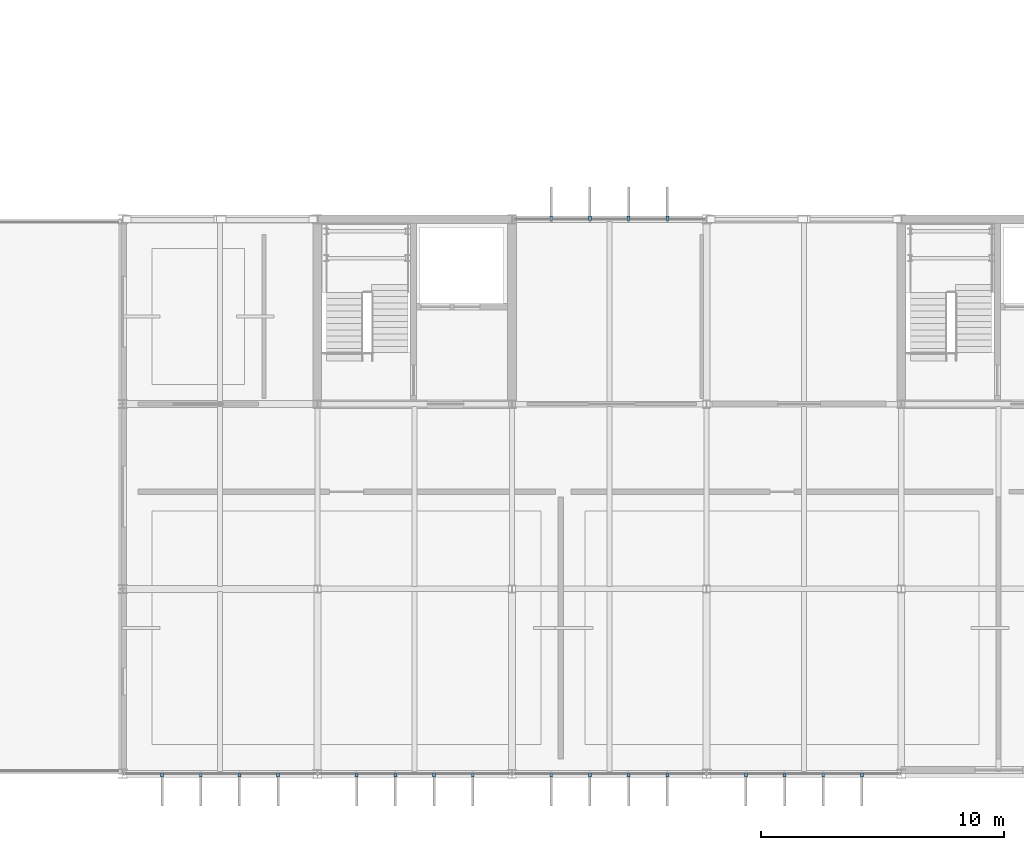
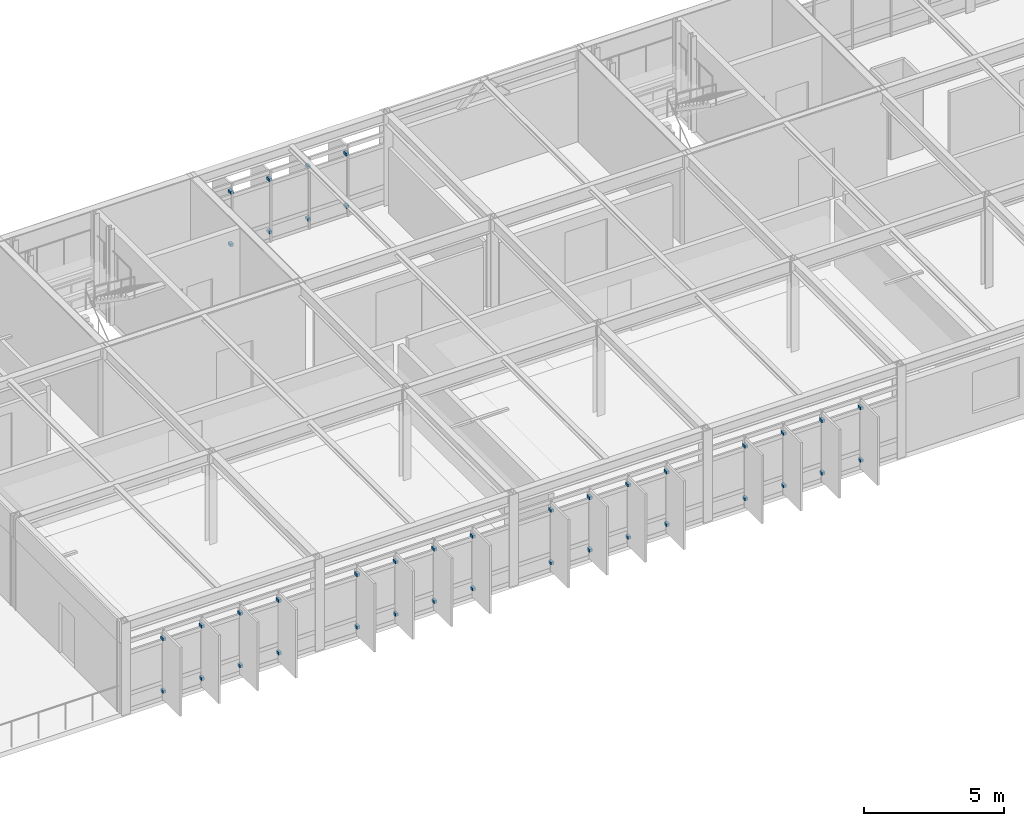
# One storey, part 37 of 45: 40 discrete accessories.
"""IFC4 building model written with IfcOpenShell, lengths in metres."""

from ifc_helpers import new_model, si_unit, direction, frame, origin, origin_2d, place, context, subcontext, project, spatial, rectangle, extrude, material, layer, layer_set, type_object, element, save


model = new_model("IFC4")

# Units and contexts
model_context = context("Model", 3, precision=1e-05, world=origin(), true_north=direction((0.0, 1.0)))
body_context = subcontext(model_context, "Body", "Model", "MODEL_VIEW")
ifc_project = project(units=[si_unit("LENGTHUNIT", "METRE"), si_unit("AREAUNIT", "SQUARE_METRE"), si_unit("VOLUMEUNIT", "CUBIC_METRE"), si_unit("PLANEANGLEUNIT", "RADIAN"), si_unit("MASSUNIT", "GRAM", prefix="KILO")], contexts=[model_context])

# Site, building, storey
site_placement = place(None, origin())
site = spatial("IfcSite", under=ifc_project, at=site_placement, CompositionType="ELEMENT")
building_placement = place(site_placement, origin())
building = spatial("IfcBuilding", under=site, at=building_placement, Name="Zulena Civic Courthouse", CompositionType="ELEMENT")
storey_placement = place(building_placement, frame((0.0, 0.0, 29.39990234375)))
storey = spatial("IfcBuildingStorey", under=building, at=storey_placement, Name="L06", CompositionType="ELEMENT", Elevation=29.39990234375)

# Discrete accessories
ifc_material = material(Name="Gold anodised architectural aluminium AA6063-T6", Category="aluminium")
ifc_layer = layer(ifc_material, 0.1201171875)
ifc_layer_set = layer_set([ifc_layer], Name="Gold anodised architectural aluminium AA6063-T6")
discrete_accessory_type = type_object("IfcDiscreteAccessoryType", Name="FinOutriggerBracket", PredefinedType="BRACKET", material=ifc_layer_set)
for number, where, z_axis, x_axis, name in (
    (1, (29.614501953125, 22.844970703125, 0.340087890625), (0.0, 0.0, 1.0), (0.0, 1.0, 0.0), "brk:V2:L06:1:2:1:29.80"),
    (2, (29.614501953125, 22.844970703125, 2.630126953125), (0.0, 0.0, 1.0), (0.0, 1.0, 0.0), "brk:V2:L06:1:2:1:32.09"),
    (3, (31.204833984375, 22.844970703125, 0.340087890625), (0.0, 0.0, 1.0), (0.0, 1.0, 0.0), "brk:V2:L06:1:2:2:29.80"),
    (4, (31.204833984375, 22.844970703125, 2.630126953125), (0.0, 0.0, 1.0), (0.0, 1.0, 0.0), "brk:V2:L06:1:2:2:32.09"),
    (5, (32.795166015625, 22.844970703125, 0.340087890625), (0.0, 0.0, 1.0), (0.0, 1.0, 0.0), "brk:V2:L06:1:2:3:29.80"),
    (6, (32.795166015625, 22.844970703125, 2.630126953125), (0.0, 0.0, 1.0), (0.0, 1.0, 0.0), "brk:V2:L06:1:2:3:32.09"),
    (7, (34.385498046875, 22.844970703125, 0.340087890625), (0.0, 0.0, 1.0), (0.0, 1.0, 0.0), "brk:V2:L06:1:2:4:29.80"),
    (8, (34.385498046875, 22.844970703125, 2.630126953125), (0.0, 0.0, 1.0), (0.0, 1.0, 0.0), "brk:V2:L06:1:2:4:32.09"),
    (9, (42.385498046875, -0.044921875, 0.340087890625), (0.0, 0.0, 1.0), (0.0, -1.0, 0.0), "brk:V2:L06:3:3:1:29.80"),
    (10, (42.385498046875, -0.044921875, 2.630126953125), (0.0, 0.0, 1.0), (0.0, -1.0, 0.0), "brk:V2:L06:3:3:1:32.09"),
    (11, (40.795166015625, -0.044921875, 0.340087890625), (0.0, 0.0, 1.0), (0.0, -1.0, 0.0), "brk:V2:L06:3:3:2:29.80"),
    (12, (40.795166015625, -0.044921875, 2.630126953125), (0.0, 0.0, 1.0), (0.0, -1.0, 0.0), "brk:V2:L06:3:3:2:32.09"),
    (13, (39.204833984375, -0.044921875, 0.340087890625), (0.0, 0.0, 1.0), (0.0, -1.0, 0.0), "brk:V2:L06:3:3:3:29.80"),
    (14, (39.204833984375, -0.044921875, 2.630126953125), (0.0, 0.0, 1.0), (0.0, -1.0, 0.0), "brk:V2:L06:3:3:3:32.09"),
    (15, (37.614501953125, -0.044921875, 0.340087890625), (0.0, 0.0, 1.0), (0.0, -1.0, 0.0), "brk:V2:L06:3:3:4:29.80"),
    (16, (37.614501953125, -0.044921875, 2.630126953125), (0.0, 0.0, 1.0), (0.0, -1.0, 0.0), "brk:V2:L06:3:3:4:32.09"),
    (17, (34.385498046875, -0.044921875, 0.340087890625), (0.0, 0.0, 1.0), (0.0, -1.0, 0.0), "brk:V2:L06:3:4:1:29.80"),
    (18, (34.385498046875, -0.044921875, 2.630126953125), (0.0, 0.0, 1.0), (0.0, -1.0, 0.0), "brk:V2:L06:3:4:1:32.09"),
    (19, (32.795166015625, -0.044921875, 0.340087890625), (0.0, 0.0, 1.0), (0.0, -1.0, 0.0), "brk:V2:L06:3:4:2:29.80"),
    (20, (32.795166015625, -0.044921875, 2.630126953125), (0.0, 0.0, 1.0), (0.0, -1.0, 0.0), "brk:V2:L06:3:4:2:32.09"),
    (21, (31.204833984375, -0.044921875, 0.340087890625), (0.0, 0.0, 1.0), (0.0, -1.0, 0.0), "brk:V2:L06:3:4:3:29.80"),
    (22, (31.204833984375, -0.044921875, 2.630126953125), (0.0, 0.0, 1.0), (0.0, -1.0, 0.0), "brk:V2:L06:3:4:3:32.09"),
    (23, (29.614501953125, -0.044921875, 0.340087890625), (0.0, 0.0, 1.0), (0.0, -1.0, 0.0), "brk:V2:L06:3:4:4:29.80"),
    (24, (29.614501953125, -0.044921875, 2.630126953125), (0.0, 0.0, 1.0), (0.0, -1.0, 0.0), "brk:V2:L06:3:4:4:32.09"),
    (25, (26.385498046875, -0.044921875, 0.340087890625), (0.0, 0.0, 1.0), (0.0, -1.0, 0.0), "brk:V2:L06:3:5:1:29.80"),
    (26, (26.385498046875, -0.044921875, 2.630126953125), (0.0, 0.0, 1.0), (0.0, -1.0, 0.0), "brk:V2:L06:3:5:1:32.09"),
    (27, (24.795166015625, -0.044921875, 0.340087890625), (0.0, 0.0, 1.0), (0.0, -1.0, 0.0), "brk:V2:L06:3:5:2:29.80"),
    (28, (24.795166015625, -0.044921875, 2.630126953125), (0.0, 0.0, 1.0), (0.0, -1.0, 0.0), "brk:V2:L06:3:5:2:32.09"),
    (29, (23.204833984375, -0.044921875, 0.340087890625), (0.0, 0.0, 1.0), (0.0, -1.0, 0.0), "brk:V2:L06:3:5:3:29.80"),
    (30, (23.204833984375, -0.044921875, 2.630126953125), (0.0, 0.0, 1.0), (0.0, -1.0, 0.0), "brk:V2:L06:3:5:3:32.09"),
    (31, (21.614501953125, -0.044921875, 0.340087890625), (0.0, 0.0, 1.0), (0.0, -1.0, 0.0), "brk:V2:L06:3:5:4:29.80"),
    (32, (21.614501953125, -0.044921875, 2.630126953125), (0.0, 0.0, 1.0), (0.0, -1.0, 0.0), "brk:V2:L06:3:5:4:32.09"),
    (33, (18.385498046875, -0.044921875, 0.340087890625), (0.0, 0.0, 1.0), (0.0, -1.0, 0.0), "brk:V2:L06:3:6:1:29.80"),
    (34, (18.385498046875, -0.044921875, 2.630126953125), (0.0, 0.0, 1.0), (0.0, -1.0, 0.0), "brk:V2:L06:3:6:1:32.09"),
    (35, (16.795166015625, -0.044921875, 0.340087890625), (0.0, 0.0, 1.0), (0.0, -1.0, 0.0), "brk:V2:L06:3:6:2:29.80"),
    (36, (16.795166015625, -0.044921875, 2.630126953125), (0.0, 0.0, 1.0), (0.0, -1.0, 0.0), "brk:V2:L06:3:6:2:32.09"),
    (37, (15.204833984375, -0.044921875, 0.340087890625), (0.0, 0.0, 1.0), (0.0, -1.0, 0.0), "brk:V2:L06:3:6:3:29.80"),
    (38, (15.204833984375, -0.044921875, 2.630126953125), (0.0, 0.0, 1.0), (0.0, -1.0, 0.0), "brk:V2:L06:3:6:3:32.09"),
    (39, (13.614501953125, -0.044921875, 0.340087890625), (0.0, 0.0, 1.0), (0.0, -1.0, 0.0), "brk:V2:L06:3:6:4:29.80"),
    (40, (13.614501953125, -0.044921875, 2.630126953125), (0.0, 0.0, 1.0), (0.0, -1.0, 0.0), "brk:V2:L06:3:6:4:32.09"),
):
    element("IfcDiscreteAccessory", number, at=place(storey_placement, frame(where, z_axis=z_axis, x_axis=x_axis)), inside=storey, type_object=discrete_accessory_type, Name=name, PredefinedType="BRACKET", context=body_context, shape_type="SweptSolid", body=[
        extrude(rectangle(XDim=0.179931640625, YDim=0.1201171875, at=origin_2d()), origin(), (0.0, 0.0, 1.0), 0.1201171875),
    ])

save(model, "model.ifc")
